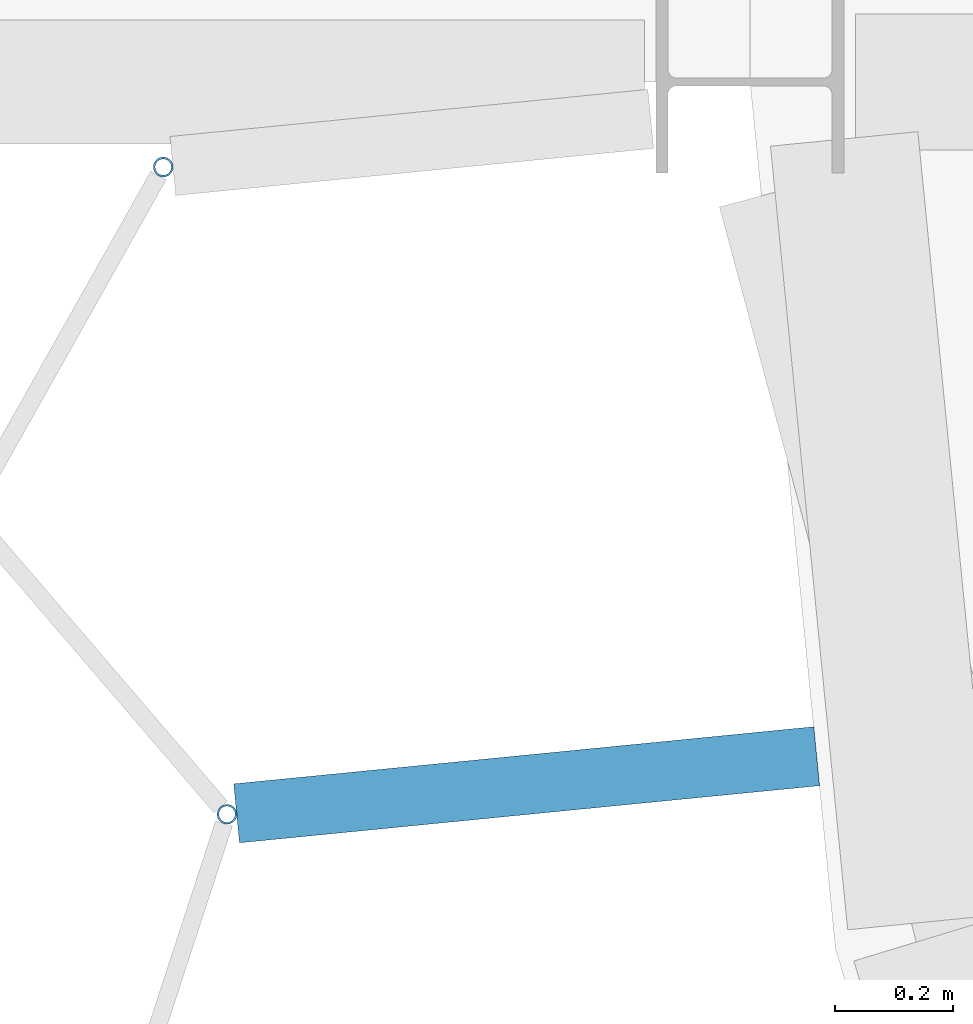
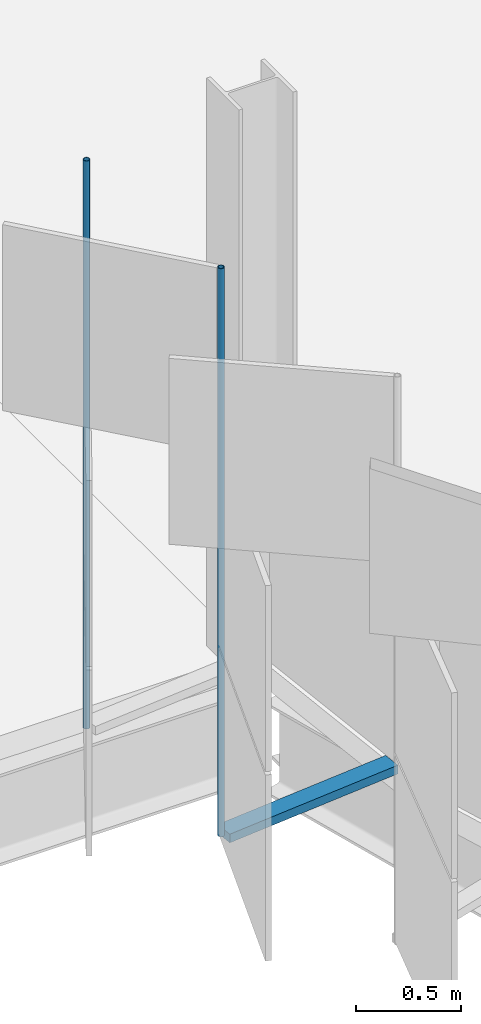
# One storey, part 86 of 198: 3 discrete accessories.
"""IFC4 building model written with IfcOpenShell, lengths in metres."""

from ifc_helpers import new_model, si_unit, direction, frame, origin, origin_2d, place, context, subcontext, project, spatial, rectangle, hollow_circle, extrude, material, material_profile, profile_set, type_object, element, save


model = new_model("IFC4")

# Units and contexts
model_context = context("Model", 3, precision=1e-05, world=origin(), true_north=direction((0.0, 1.0)))
body_context = subcontext(model_context, "Body", "Model", "MODEL_VIEW")
ifc_project = project(units=[si_unit("LENGTHUNIT", "METRE"), si_unit("AREAUNIT", "SQUARE_METRE"), si_unit("VOLUMEUNIT", "CUBIC_METRE"), si_unit("PLANEANGLEUNIT", "RADIAN"), si_unit("MASSUNIT", "GRAM", prefix="KILO")], contexts=[model_context])

# Site, building, storey
site_placement = place(None, origin())
site = spatial("IfcSite", under=ifc_project, at=site_placement, CompositionType="ELEMENT")
building_placement = place(site_placement, origin())
building = spatial("IfcBuilding", under=site, at=building_placement, Name="Parallax Yard Mobility Hub", CompositionType="ELEMENT")
storey_placement = place(building_placement, frame((0.0, 0.0, 6.60009765625)))
storey = spatial("IfcBuildingStorey", under=building, at=storey_placement, Name="L02", CompositionType="ELEMENT", Elevation=6.60009765625)

# Discrete accessories
ifc_material_1 = material(Name="Steel ASTM A36, hot-dip galvanised", Category="steel")
discrete_accessory_type_1 = type_object("IfcDiscreteAccessoryType", Name="Hinge bracket plate 100x50", PredefinedType="BRACKET", material=ifc_material_1)
discrete_accessory_placement = place(storey_placement, frame((194.622802734375, 28.8134765625, -0.02490234375), z_axis=(0.0, 0.0, 1.0), x_axis=(-0.995184726672, -0.09801714033, 0.0)))
element("IfcDiscreteAccessory", 1, at=discrete_accessory_placement, inside=storey, type_object=discrete_accessory_type_1, Name="Hinge bracket plate bay 30.2 level L02", PredefinedType="BRACKET", context=body_context, shape_type="SweptSolid", body=[
    extrude(rectangle(XDim=0.984130859375, YDim=0.10009765625, at=origin_2d()), origin(), (0.0, 0.0, 1.0), 0.050048828125),
])
ifc_material_2 = material(Name="Steel ASTM A500 Gr C, hot-dip galvanised", Category="steel")
ifc_material_profile = material_profile(ifc_material_2, hollow_circle(Radius=0.016845703125, WallThickness=0.003173828125, at=origin_2d()), Name="CHS 33.7x3.2")
ifc_profile_set = profile_set([ifc_material_profile], Name="Steel ASTM A500 Gr C, hot-dip galvanised")
discrete_accessory_type_2 = type_object("IfcDiscreteAccessoryType", Name="Hinge post CHS 33.7x3.2", PredefinedType="BRACKET", material=ifc_profile_set)
for number, where, z_axis, x_axis, name in (
    (2, (194.00927734375, 29.8564453125, 0.0), (0.0, 0.0, 1.0), (1.0, 0.0, 0.0), "Hinge post bay 30.1 level L02"),
    (3, (194.116943359375, 28.763671875, 0.0), (0.0, 0.0, 1.0), (1.0, 0.0, 0.0), "Hinge post bay 30.2 level L02"),
):
    element("IfcDiscreteAccessory", number, at=place(storey_placement, frame(where, z_axis=z_axis, x_axis=x_axis)), inside=storey, type_object=discrete_accessory_type_2, Name=name, PredefinedType="BRACKET", context=body_context, shape_type="SweptSolid", body=[
        extrude(hollow_circle(Radius=0.016845703125, WallThickness=0.003173828125, at=origin_2d()), origin(), (0.0, 0.0, 1.0), 3.2998046875),
    ])

save(model, "model.ifc")
